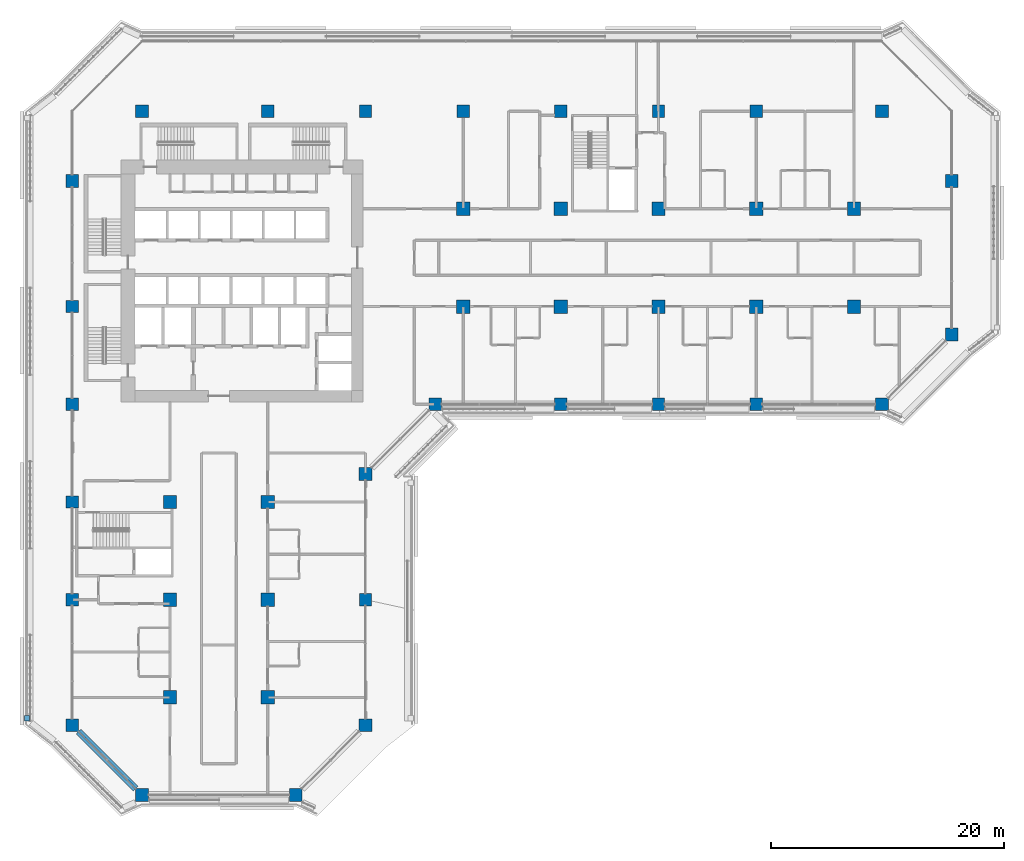
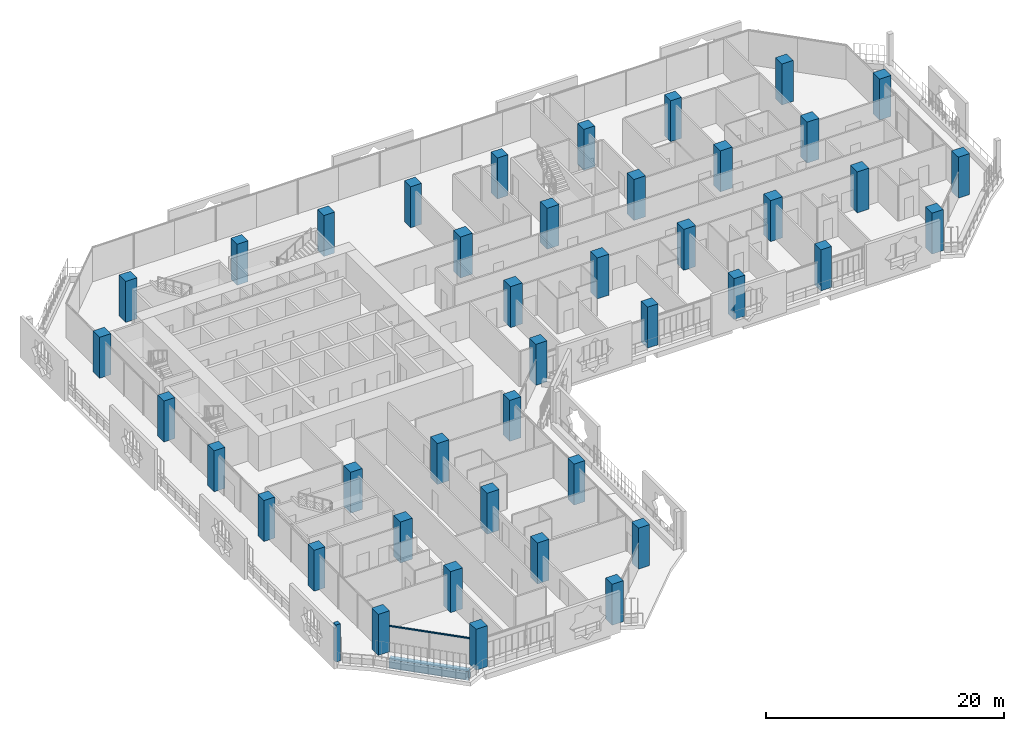
# One storey, part 1 of 25: 42 columns, 2 members, 1 beam, 2 elements without a shape of their own.
"""IFC4 building model written with IfcOpenShell, lengths in metres."""

from ifc_helpers import new_model, si_unit, direction, frame, origin, origin_2d, place, context, subcontext, project, spatial, rectangle, extrude, material, layer, layer_set, material_profile, profile_set, type_object, element, aggregate, save


model = new_model("IFC4")

# Units and contexts
model_context = context("Model", 3, precision=1e-05, world=origin(), true_north=direction((0.0, 1.0)))
body_context = subcontext(model_context, "Body", "Model", "MODEL_VIEW")
ifc_project = project(units=[si_unit("LENGTHUNIT", "METRE"), si_unit("AREAUNIT", "SQUARE_METRE"), si_unit("VOLUMEUNIT", "CUBIC_METRE"), si_unit("PLANEANGLEUNIT", "RADIAN"), si_unit("MASSUNIT", "GRAM", prefix="KILO")], contexts=[model_context])

# Site, building, storey
site_placement = place(None, origin())
site = spatial("IfcSite", under=ifc_project, at=site_placement, CompositionType="ELEMENT")
building_placement = place(site_placement, origin())
building = spatial("IfcBuilding", under=site, at=building_placement, Name="Kawkab Arch Medical Tower", CompositionType="ELEMENT")
storey_placement = place(building_placement, frame((0.0, 0.0, 132.39990234375)))
storey = spatial("IfcBuildingStorey", under=building, at=storey_placement, Name="L30", CompositionType="ELEMENT", Elevation=132.39990234375)

# Columns
ifc_material_1 = material(Name="Concrete C55/67", Category="concrete")
ifc_material_profile_1 = material_profile(ifc_material_1, rectangle(XDim=1.050048828125, YDim=1.050048828125, at=origin_2d()), Name="RC 1050x1050")
ifc_profile_set_1 = profile_set([ifc_material_profile_1], Name="Concrete C55/67")
column_type_1 = type_object("IfcColumnType", Name="RC 1050x1050 column C55/67", PredefinedType="COLUMN", material=ifc_profile_set_1)
for number, where, z_axis, x_axis, name in (
    (1, (16.800048828125, 0.0, 0.0), (0.0, 0.0, 1.0), (1.0, 0.0, 0.0), "Column RC 1050x1050"),
    (2, (25.199951171875, 0.0, 0.0), (0.0, 0.0, 1.0), (1.0, 0.0, 0.0), "Column RC 1050x1050"),
    (3, (33.60009765625, 0.0, 0.0), (0.0, 0.0, 1.0), (1.0, 0.0, 0.0), "Column RC 1050x1050"),
    (4, (42.0, 0.0, 0.0), (0.0, 0.0, 1.0), (1.0, 0.0, 0.0), "Column RC 1050x1050"),
    (5, (50.39990234375, 0.0, 0.0), (0.0, 0.0, 1.0), (1.0, 0.0, 0.0), "Column RC 1050x1050"),
    (6, (58.800048828125, 0.0, 0.0), (0.0, 0.0, 1.0), (1.0, 0.0, 0.0), "Column RC 1050x1050"),
    (7, (0.0, -16.800048828125, 0.0), (0.0, 0.0, 1.0), (1.0, 0.0, 0.0), "Column RC 1050x1050"),
    (8, (0.0, -25.199951171875, 0.0), (0.0, 0.0, 1.0), (1.0, 0.0, 0.0), "Column RC 1050x1050"),
    (9, (42.0, -25.199951171875, 0.0), (0.0, 0.0, 1.0), (1.0, 0.0, 0.0), "Column RC 1050x1050"),
    (10, (50.39990234375, -25.199951171875, 0.0), (0.0, 0.0, 1.0), (1.0, 0.0, 0.0), "Column RC 1050x1050"),
    (11, (58.800048828125, -25.199951171875, 0.0), (0.0, 0.0, 1.0), (1.0, 0.0, 0.0), "Column RC 1050x1050"),
    (12, (0.0, -33.60009765625, 0.0), (0.0, 0.0, 1.0), (1.0, 0.0, 0.0), "Column RC 1050x1050"),
    (13, (0.0, -42.0, 0.0), (0.0, 0.0, 1.0), (1.0, 0.0, 0.0), "Column RC 1050x1050"),
    (14, (25.199951171875, -42.0, 0.0), (0.0, 0.0, 1.0), (1.0, 0.0, 0.0), "Column RC 1050x1050"),
):
    element("IfcColumn", number, at=place(storey_placement, frame(where, z_axis=z_axis, x_axis=x_axis)), inside=storey, type_object=column_type_1, Name=name, PredefinedType="COLUMN", context=body_context, shape_type="SweptSolid", body=[
        extrude(rectangle(XDim=1.050048828125, YDim=1.050048828125, at=origin_2d()), origin(), (0.0, 0.0, 1.0), 4.2001953125),
    ])
ifc_material_2 = material(Name="Concrete C55/67", Category="concrete")
ifc_material_profile_2 = material_profile(ifc_material_2, rectangle(XDim=1.10009765625, YDim=1.10009765625, at=origin_2d()), Name="RC 1100x1100")
ifc_profile_set_2 = profile_set([ifc_material_profile_2], Name="Concrete C55/67")
column_type_2 = type_object("IfcColumnType", Name="RC 1100x1100 column C55/67", PredefinedType="COLUMN", material=ifc_profile_set_2)
for number, where, z_axis, x_axis, name in (
    (15, (6.0, 0.0, 0.0), (0.0, 0.0, 1.0), (1.0, 0.0, 0.0), "Column RC 1100x1100"),
    (16, (69.60009765625, 0.0, 0.0), (0.0, 0.0, 1.0), (1.0, 0.0, 0.0), "Column RC 1100x1100"),
    (17, (0.0, -6.0, 0.0), (0.0, 0.0, 1.0), (1.0, 0.0, 0.0), "Column RC 1100x1100"),
    (18, (75.60009765625, -6.0, 0.0), (0.0, 0.0, 1.0), (1.0, 0.0, 0.0), "Column RC 1100x1100"),
    (19, (75.60009765625, -19.199951171875, 0.0), (0.0, 0.0, 1.0), (1.0, 0.0, 0.0), "Column RC 1100x1100"),
    (20, (31.199951171875, -25.199951171875, 0.0), (0.0, 0.0, 1.0), (1.0, 0.0, 0.0), "Column RC 1100x1100"),
    (21, (69.60009765625, -25.199951171875, 0.0), (0.0, 0.0, 1.0), (1.0, 0.0, 0.0), "Column RC 1100x1100"),
    (22, (25.199951171875, -31.199951171875, 0.0), (0.0, 0.0, 1.0), (1.0, 0.0, 0.0), "Column RC 1100x1100"),
    (23, (0.0, -52.800048828125, 0.0), (0.0, 0.0, 1.0), (1.0, 0.0, 0.0), "Column RC 1100x1100"),
    (24, (25.199951171875, -52.800048828125, 0.0), (0.0, 0.0, 1.0), (1.0, 0.0, 0.0), "Column RC 1100x1100"),
    (25, (6.0, -58.800048828125, 0.0), (0.0, 0.0, 1.0), (1.0, 0.0, 0.0), "Column RC 1100x1100"),
    (26, (19.199951171875, -58.800048828125, 0.0), (0.0, 0.0, 1.0), (1.0, 0.0, 0.0), "Column RC 1100x1100"),
):
    element("IfcColumn", number, at=place(storey_placement, frame(where, z_axis=z_axis, x_axis=x_axis)), inside=storey, type_object=column_type_2, Name=name, PredefinedType="COLUMN", context=body_context, shape_type="SweptSolid", body=[
        extrude(rectangle(XDim=1.10009765625, YDim=1.10009765625, at=origin_2d()), origin(), (0.0, 0.0, 1.0), 4.2001953125),
    ])
ifc_material_3 = material(Name="Concrete C55/67", Category="concrete")
ifc_material_profile_3 = material_profile(ifc_material_3, rectangle(XDim=1.14990234375, YDim=1.14990234375, at=origin_2d()), Name="RC 1150x1150")
ifc_profile_set_3 = profile_set([ifc_material_profile_3], Name="Concrete C55/67")
column_type_3 = type_object("IfcColumnType", Name="RC 1150x1150 column C55/67", PredefinedType="COLUMN", material=ifc_profile_set_3)
for number, where, z_axis, x_axis, name in (
    (27, (33.60009765625, -8.39990234375, 0.0), (0.0, 0.0, 1.0), (1.0, 0.0, 0.0), "Column RC 1150x1150"),
    (28, (42.0, -8.39990234375, 0.0), (0.0, 0.0, 1.0), (1.0, 0.0, 0.0), "Column RC 1150x1150"),
    (29, (50.39990234375, -8.39990234375, 0.0), (0.0, 0.0, 1.0), (1.0, 0.0, 0.0), "Column RC 1150x1150"),
    (30, (58.800048828125, -8.39990234375, 0.0), (0.0, 0.0, 1.0), (1.0, 0.0, 0.0), "Column RC 1150x1150"),
    (31, (67.199951171875, -8.39990234375, 0.0), (0.0, 0.0, 1.0), (1.0, 0.0, 0.0), "Column RC 1150x1150"),
    (32, (33.60009765625, -16.800048828125, 0.0), (0.0, 0.0, 1.0), (1.0, 0.0, 0.0), "Column RC 1150x1150"),
    (33, (42.0, -16.800048828125, 0.0), (0.0, 0.0, 1.0), (1.0, 0.0, 0.0), "Column RC 1150x1150"),
    (34, (50.39990234375, -16.800048828125, 0.0), (0.0, 0.0, 1.0), (1.0, 0.0, 0.0), "Column RC 1150x1150"),
    (35, (58.800048828125, -16.800048828125, 0.0), (0.0, 0.0, 1.0), (1.0, 0.0, 0.0), "Column RC 1150x1150"),
    (36, (67.199951171875, -16.800048828125, 0.0), (0.0, 0.0, 1.0), (1.0, 0.0, 0.0), "Column RC 1150x1150"),
    (37, (8.39990234375, -33.60009765625, 0.0), (0.0, 0.0, 1.0), (1.0, 0.0, 0.0), "Column RC 1150x1150"),
    (38, (16.800048828125, -33.60009765625, 0.0), (0.0, 0.0, 1.0), (1.0, 0.0, 0.0), "Column RC 1150x1150"),
    (39, (8.39990234375, -42.0, 0.0), (0.0, 0.0, 1.0), (1.0, 0.0, 0.0), "Column RC 1150x1150"),
    (40, (16.800048828125, -42.0, 0.0), (0.0, 0.0, 1.0), (1.0, 0.0, 0.0), "Column RC 1150x1150"),
    (41, (8.39990234375, -50.39990234375, 0.0), (0.0, 0.0, 1.0), (1.0, 0.0, 0.0), "Column RC 1150x1150"),
    (42, (16.800048828125, -50.39990234375, 0.0), (0.0, 0.0, 1.0), (1.0, 0.0, 0.0), "Column RC 1150x1150"),
):
    element("IfcColumn", number, at=place(storey_placement, frame(where, z_axis=z_axis, x_axis=x_axis)), inside=storey, type_object=column_type_3, Name=name, PredefinedType="COLUMN", context=body_context, shape_type="SweptSolid", body=[
        extrude(rectangle(XDim=1.14990234375, YDim=1.14990234375, at=origin_2d()), origin(), (0.0, 0.0, 1.0), 4.2001953125),
    ])

# Curtain wall, member
ifc_material_4 = material(Name="Bronze anodised aluminium curtain wall frame", Category="aluminium")
ifc_layer_1 = layer(ifc_material_4, 0.159912109375)
ifc_layer_set_1 = layer_set([ifc_layer_1], Name="Bronze anodised aluminium curtain wall frame")
curtain_wall_type_1 = type_object("IfcCurtainWallType", Name="CW2 chamfer curtain wall", PredefinedType="NOTDEFINED", material=ifc_layer_set_1)
placement = place(storey_placement, origin())
curtain_wall_1 = element("IfcCurtainWall", 43, at=placement, inside=storey, type_object=curtain_wall_type_1, Name="CW2 Chamfer curtain wall R02", PredefinedType="NOTDEFINED")
ifc_material_5 = material(Name="Bronze anodised aluminium curtain wall frame", Category="aluminium")
ifc_material_profile_4 = material_profile(ifc_material_5, rectangle(XDim=0.06005859375, YDim=0.139892578125, at=origin_2d()), Name="AL 60x140")
ifc_profile_set_4 = profile_set([ifc_material_profile_4], Name="Bronze anodised aluminium curtain wall frame")
member_type_1 = type_object("IfcMemberType", Name="CW2 transom 140 x 60", PredefinedType="USERDEFINED", material=ifc_profile_set_4)
member_1_placement = place(storey_placement, frame((0.550048828125, -53.35009765625, 2.630126953125), z_axis=(0.707106781187, -0.707106781187, 0.0), x_axis=(0.707106781187, 0.707106781187, 0.0)))
member_1 = element("IfcMember", 44, at=member_1_placement, type_object=member_type_1, Name="CW2 transom 1", ObjectType="TRANSOM", PredefinedType="USERDEFINED", context=body_context, shape_type="SweptSolid", body=[
    extrude(rectangle(XDim=0.06005859375, YDim=0.139892578125, at=origin_2d()), origin(), (0.0, 0.0, 1.0), 6.929443359375),
])
aggregate(curtain_wall_1, [member_1])

ifc_material_6 = material(Name="Bronze anodised aluminium climber frame, planted", Category="aluminium")
ifc_layer_2 = layer(ifc_material_6, 0.449951171875)
ifc_layer_set_2 = layer_set([ifc_layer_2], Name="Bronze anodised aluminium climber frame, planted")
curtain_wall_type_2 = type_object("IfcCurtainWallType", Name="Planted climber frame", PredefinedType="NOTDEFINED", material=ifc_layer_set_2)
curtain_wall_2 = element("IfcCurtainWall", 45, at=placement, inside=storey, type_object=curtain_wall_type_2, Name="Planted climber frame L30", PredefinedType="NOTDEFINED")
ifc_material_7 = material(Name="Bronze anodised aluminium climber frame, planted", Category="aluminium")
ifc_material_profile_5 = material_profile(ifc_material_7, rectangle(XDim=0.449951171875, YDim=0.449951171875, at=origin_2d()), Name="Post 450x450")
ifc_profile_set_5 = profile_set([ifc_material_profile_5], Name="Bronze anodised aluminium climber frame, planted")
member_type_2 = type_object("IfcMemberType", Name="Planted climber post 450 x 450", PredefinedType="MULLION", material=ifc_profile_set_5)
member_2_placement = place(storey_placement, frame((-3.89990234375, -52.202880859375, 0.0), z_axis=(0.0, 0.0, 1.0), x_axis=(1.0, 0.0, 0.0)))
member_2 = element("IfcMember", 46, at=member_2_placement, type_object=member_type_2, Name="Planted climber post L30.LOG-01-01.1", PredefinedType="MULLION", context=body_context, shape_type="SweptSolid", body=[
    extrude(rectangle(XDim=0.449951171875, YDim=0.449951171875, at=origin_2d()), origin(), (0.0, 0.0, 1.0), 3.800048828125),
])
aggregate(curtain_wall_2, [member_2])

# Beam
ifc_material_8 = material(Name="Concrete C55/67", Category="concrete")
ifc_material_profile_6 = material_profile(ifc_material_8, rectangle(XDim=0.60009765625, YDim=0.89990234375, at=origin_2d()), Name="RC 600x900")
ifc_profile_set_6 = profile_set([ifc_material_profile_6], Name="Concrete C55/67")
beam_type = type_object("IfcBeamType", Name="RC 600x900 beam C55/67", PredefinedType="BEAM", material=ifc_profile_set_6)
beam_placement = place(storey_placement, frame((5.449951171875, -58.25, -1.0498046875), z_axis=(-0.707106781187, 0.707106781187, 0.0), x_axis=(-0.707106781187, -0.707106781187, 0.0)))
element("IfcBeam", 47, at=beam_placement, inside=storey, type_object=beam_type, Name="Overhang edge beam L30-09", PredefinedType="BEAM", context=body_context, shape_type="SweptSolid", body=[
    extrude(rectangle(XDim=0.60009765625, YDim=0.89990234375, at=origin_2d()), origin(), (0.0, 0.0, 1.0), 6.929443359375),
])

save(model, "model.ifc")
